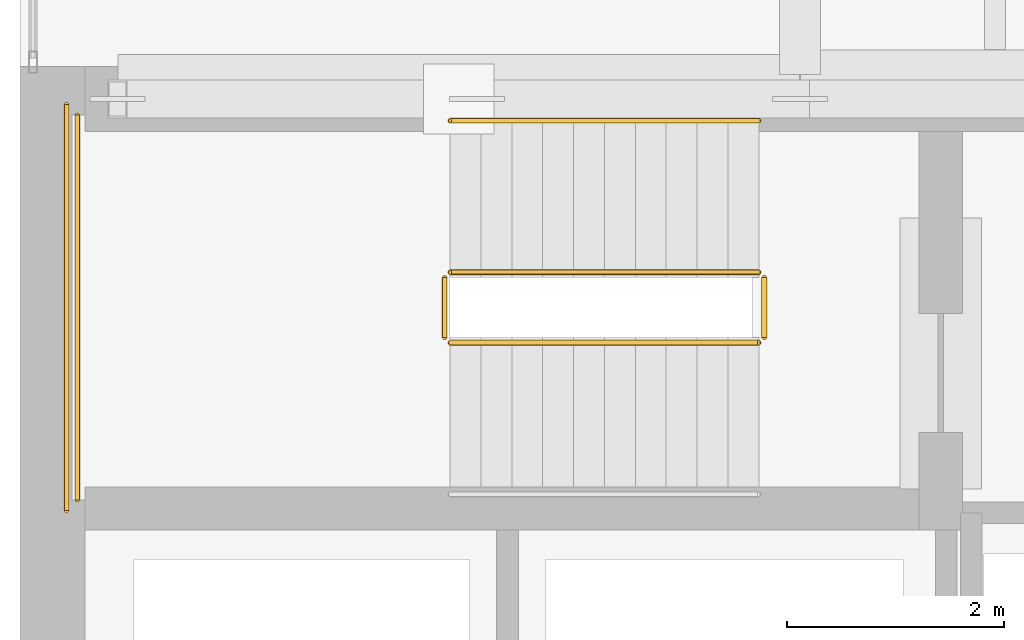
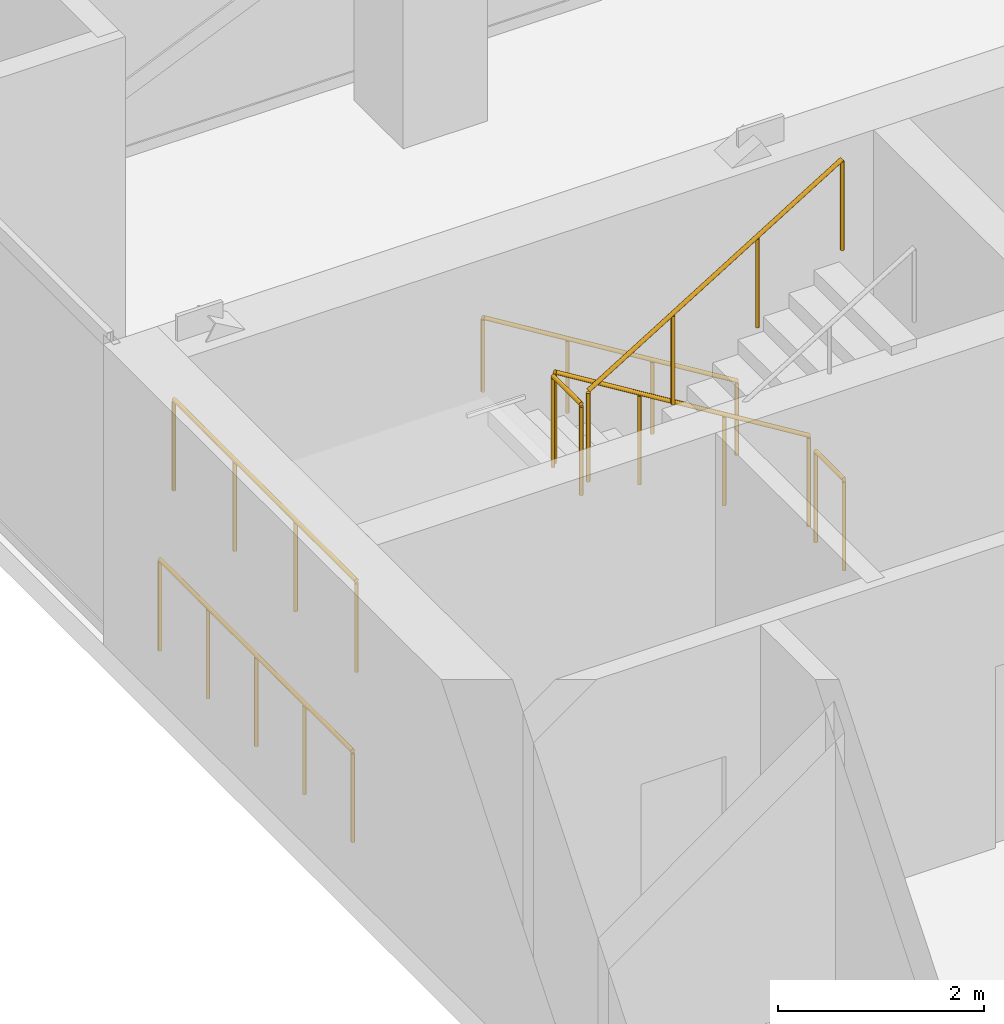
# One storey, part 24 of 24: 7 railings.
"""IFC4 building model written with IfcOpenShell, lengths in metres."""

from ifc_helpers import new_model, si_unit, direction, frame, origin, origin_2d, place, context, subcontext, project, spatial, circle, extrude, material, type_object, element, save


model = new_model("IFC4")

# Units and contexts
model_context = context("Model", 3, precision=1e-05, world=origin(), true_north=direction((0.0, 1.0)))
body_context = subcontext(model_context, "Body", "Model", "MODEL_VIEW")
ifc_project = project(units=[si_unit("LENGTHUNIT", "METRE"), si_unit("AREAUNIT", "SQUARE_METRE"), si_unit("VOLUMEUNIT", "CUBIC_METRE"), si_unit("PLANEANGLEUNIT", "RADIAN"), si_unit("MASSUNIT", "GRAM", prefix="KILO")], contexts=[model_context])

# Site, building, storey
site_placement = place(None, origin())
site = spatial("IfcSite", under=ifc_project, at=site_placement, CompositionType="ELEMENT")
building_placement = place(site_placement, origin())
building = spatial("IfcBuilding", under=site, at=building_placement, Name="Cobrela Telecom Tower", CompositionType="ELEMENT")
storey_placement = place(building_placement, frame((0.0, 0.0, 77.35009765625)))
storey = spatial("IfcBuildingStorey", under=building, at=storey_placement, Name="L19", CompositionType="ELEMENT", Elevation=77.35009765625)

# Railings
ifc_material = material(Name="Steel ASTM A36", Category="steel")
railing_type_1 = type_object("IfcRailingType", Name="RAIL-GUARD-1100", PredefinedType="GUARDRAIL", material=ifc_material)
railing_1_placement = place(storey_placement, frame((6.820068359375, 34.10009765625, 0.1748046875)))
element("IfcRailing", 1, at=railing_1_placement, inside=storey, type_object=railing_type_1, Name="L19 ST1 stair guard 1", PredefinedType="GUARDRAIL", context=body_context, shape_type="SweptSolid", body=[
    extrude(circle(Radius=0.02392578125, at=origin_2d()), frame((0.0, 0.0, 1.076171875), z_axis=(-0.852179220489, 0.0, 0.52325001306), x_axis=(0.0, -1.0, 0.0)), (0.0, 0.0, 1.0), 3.344482421875),
    extrude(circle(Radius=0.02099609375, at=origin_2d()), origin(), (0.0, 0.0, 1.0), 1.052001953125),
    extrude(circle(Radius=0.02099609375, at=origin_2d()), frame((-0.949951171875, 0.0, 0.583251953125)), (0.0, 0.0, 1.0), 1.052001953125),
    extrude(circle(Radius=0.02099609375, at=origin_2d()), frame((-1.900146484375, 0.0, 1.166748046875)), (0.0, 0.0, 1.0), 1.052001953125),
    extrude(circle(Radius=0.02099609375, at=origin_2d()), frame((-2.85009765625, 0.0, 1.75)), (0.0, 0.0, 1.0), 1.052001953125),
])
railing_2_placement = place(storey_placement, frame((3.919921875, 34.050048828125, 1.9248046875)))
element("IfcRailing", 2, at=railing_2_placement, inside=storey, type_object=railing_type_1, Name="L19 ST1 stair guard 2", PredefinedType="GUARDRAIL", context=body_context, shape_type="SweptSolid", body=[
    extrude(circle(Radius=0.02392578125, at=origin_2d()), frame((0.0, 0.0, 1.076171875), z_axis=(0.0, -1.0, 0.0), x_axis=(1.0, 0.0, 0.0)), (0.0, 0.0, 1.0), 0.550048828125),
    extrude(circle(Radius=0.02099609375, at=origin_2d()), origin(), (0.0, 0.0, 1.0), 1.052001953125),
    extrude(circle(Radius=0.02099609375, at=origin_2d()), frame((0.0, -0.550048828125, 0.0)), (0.0, 0.0, 1.0), 1.052001953125),
])
railing_3_placement = place(storey_placement, frame((0.530029296875, 35.550048828125, 1.9248046875)))
element("IfcRailing", 3, at=railing_3_placement, inside=storey, type_object=railing_type_1, Name="L19 ST1 stair guard 3", PredefinedType="GUARDRAIL", context=body_context, shape_type="SweptSolid", body=[
    extrude(circle(Radius=0.02392578125, at=origin_2d()), frame((0.0, 0.0, 1.076171875), z_axis=(0.0, -1.0, 0.0), x_axis=(1.0, 0.0, 0.0)), (0.0, 0.0, 1.0), 3.550048828125),
    extrude(circle(Radius=0.02099609375, at=origin_2d()), origin(), (0.0, 0.0, 1.0), 1.052001953125),
    extrude(circle(Radius=0.02099609375, at=origin_2d()), frame((0.0, -1.183349609375, 0.0)), (0.0, 0.0, 1.0), 1.052001953125),
    extrude(circle(Radius=0.02099609375, at=origin_2d()), frame((0.0, -2.36669921875, 0.0)), (0.0, 0.0, 1.0), 1.052001953125),
    extrude(circle(Radius=0.02099609375, at=origin_2d()), frame((0.0, -3.550048828125, 0.0)), (0.0, 0.0, 1.0), 1.052001953125),
])
railing_4_placement = place(storey_placement, frame((3.969970703125, 33.449951171875, 2.099853515625)))
element("IfcRailing", 4, at=railing_4_placement, inside=storey, type_object=railing_type_1, Name="L19 ST1 stair guard 4", PredefinedType="GUARDRAIL", context=body_context, shape_type="SweptSolid", body=[
    extrude(circle(Radius=0.02392578125, at=origin_2d()), frame((0.0, 0.0, 1.076171875), z_axis=(0.852179220489, 0.0, 0.52325001306), x_axis=(0.0, 1.0, 0.0)), (0.0, 0.0, 1.0), 3.344482421875),
    extrude(circle(Radius=0.02099609375, at=origin_2d()), origin(), (0.0, 0.0, 1.0), 1.052001953125),
    extrude(circle(Radius=0.02099609375, at=origin_2d()), frame((0.949951171875, 0.0, 0.583251953125)), (0.0, 0.0, 1.0), 1.052001953125),
    extrude(circle(Radius=0.02099609375, at=origin_2d()), frame((1.900146484375, 0.0, 1.166748046875)), (0.0, 0.0, 1.0), 1.052001953125),
    extrude(circle(Radius=0.02099609375, at=origin_2d()), frame((2.85009765625, 0.0, 1.75)), (0.0, 0.0, 1.0), 1.052001953125),
])
railing_5_placement = place(storey_placement, frame((6.8701171875, 34.050048828125, 0.0)))
element("IfcRailing", 5, at=railing_5_placement, inside=storey, type_object=railing_type_1, Name="L19 ST1 stair guard 5", PredefinedType="GUARDRAIL", context=body_context, shape_type="SweptSolid", body=[
    extrude(circle(Radius=0.02392578125, at=origin_2d()), frame((0.0, 0.0, 1.076171875), z_axis=(0.0, -1.0, 0.0), x_axis=(1.0, 0.0, 0.0)), (0.0, 0.0, 1.0), 0.550048828125),
    extrude(circle(Radius=0.02099609375, at=origin_2d()), origin(), (0.0, 0.0, 1.0), 1.052001953125),
    extrude(circle(Radius=0.02099609375, at=origin_2d()), frame((0.0, -0.550048828125, 0.0)), (0.0, 0.0, 1.0), 1.052001953125),
])
railing_6_placement = place(storey_placement, frame((0.429931640625, 35.64990234375, 0.0)))
element("IfcRailing", 6, at=railing_6_placement, inside=storey, type_object=railing_type_1, Name="L19 ST1 stair guard 6", PredefinedType="GUARDRAIL", context=body_context, shape_type="SweptSolid", body=[
    extrude(circle(Radius=0.02392578125, at=origin_2d()), frame((0.0, 0.0, 1.076171875), z_axis=(0.0, -1.0, 0.0), x_axis=(1.0, 0.0, 0.0)), (0.0, 0.0, 1.0), 3.75),
    extrude(circle(Radius=0.02099609375, at=origin_2d()), origin(), (0.0, 0.0, 1.0), 1.052001953125),
    extrude(circle(Radius=0.02099609375, at=origin_2d()), frame((0.0, -0.9375, 0.0)), (0.0, 0.0, 1.0), 1.052001953125),
    extrude(circle(Radius=0.02099609375, at=origin_2d()), frame((0.0, -1.875, 0.0)), (0.0, 0.0, 1.0), 1.052001953125),
    extrude(circle(Radius=0.02099609375, at=origin_2d()), frame((0.0, -2.8125, 0.0)), (0.0, 0.0, 1.0), 1.052001953125),
    extrude(circle(Radius=0.02099609375, at=origin_2d()), frame((0.0, -3.75, 0.0)), (0.0, 0.0, 1.0), 1.052001953125),
])
railing_type_2 = type_object("IfcRailingType", Name="RAIL-HAND-920", PredefinedType="HANDRAIL", material=ifc_material)
railing_7_placement = place(storey_placement, frame((6.820068359375, 35.5, 0.1748046875)))
element("IfcRailing", 7, at=railing_7_placement, inside=storey, type_object=railing_type_2, Name="L19 ST1 stair handrail 1", PredefinedType="HANDRAIL", context=body_context, shape_type="SweptSolid", body=[
    extrude(circle(Radius=0.02392578125, at=origin_2d()), frame((0.0, 0.0, 0.8759765625), z_axis=(-0.852179220489, 0.0, 0.52325001306), x_axis=(0.0, -1.0, 0.0)), (0.0, 0.0, 1.0), 3.344482421875),
    extrude(circle(Radius=0.02099609375, at=origin_2d()), origin(), (0.0, 0.0, 1.0), 0.851806640625),
    extrude(circle(Radius=0.02099609375, at=origin_2d()), frame((-0.949951171875, 0.0, 0.583251953125)), (0.0, 0.0, 1.0), 0.851806640625),
    extrude(circle(Radius=0.02099609375, at=origin_2d()), frame((-1.900146484375, 0.0, 1.166748046875)), (0.0, 0.0, 1.0), 0.851806640625),
    extrude(circle(Radius=0.02099609375, at=origin_2d()), frame((-2.85009765625, 0.0, 1.75)), (0.0, 0.0, 1.0), 0.851806640625),
])

save(model, "model.ifc")
